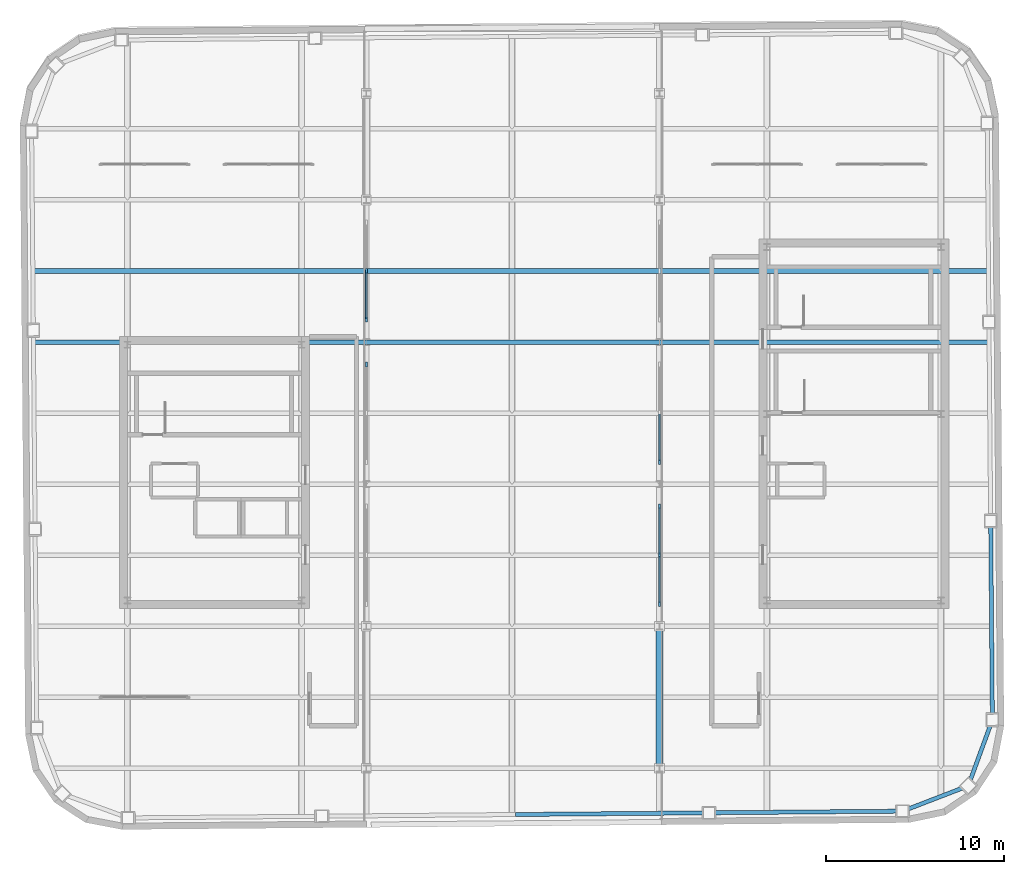
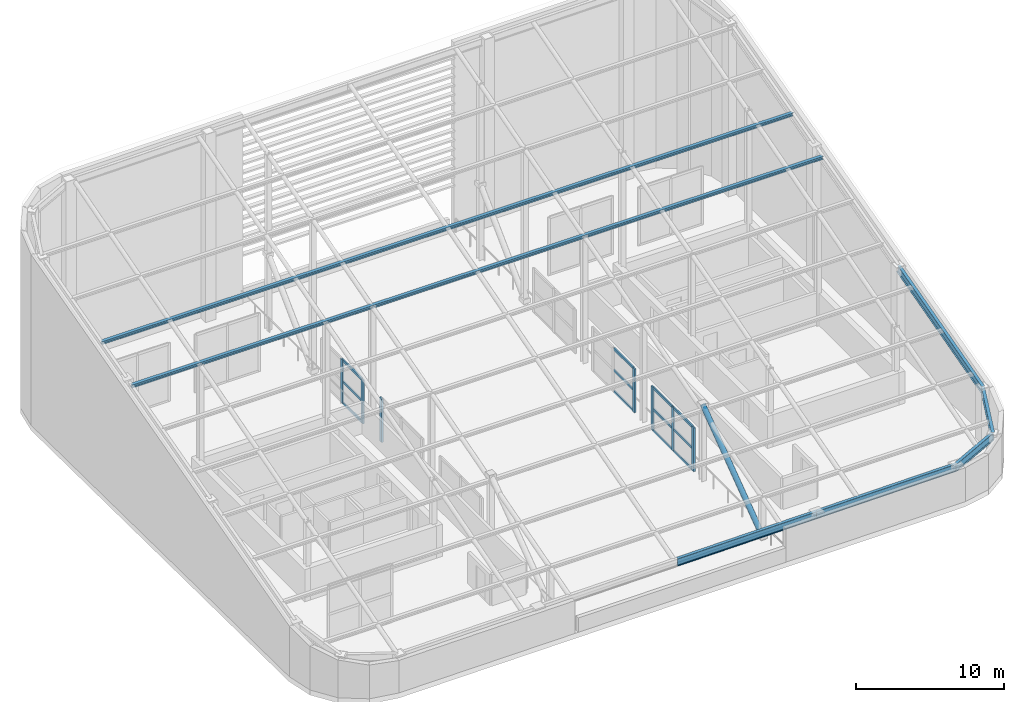
# One storey, part 9 of 17: 22 members, 5 beams, 4 elements without a shape of their own.
"""IFC4 building model written with IfcOpenShell, lengths in metres."""

from ifc_helpers import new_model, si_unit, direction, frame, origin, origin_2d, place, context, subcontext, project, spatial, rectangle, hollow_circle, i_section, extrude, material, material_profile, profile_set, type_object, element, aggregate, save


model = new_model("IFC4")

# Units and contexts
model_context = context("Model", 3, precision=1e-05, world=origin(), true_north=direction((0.0, 1.0)))
body_context = subcontext(model_context, "Body", "Model", "MODEL_VIEW")
ifc_project = project(units=[si_unit("LENGTHUNIT", "METRE"), si_unit("AREAUNIT", "SQUARE_METRE"), si_unit("VOLUMEUNIT", "CUBIC_METRE"), si_unit("PLANEANGLEUNIT", "RADIAN"), si_unit("MASSUNIT", "GRAM", prefix="KILO")], contexts=[model_context])

# Site, building, storey
site_placement = place(None, origin())
site = spatial("IfcSite", under=ifc_project, at=site_placement, CompositionType="ELEMENT")
building_placement = place(site_placement, origin())
building = spatial("IfcBuilding", under=site, at=building_placement, Name="Kolvaren Arena Tower", CompositionType="ELEMENT")
storey_placement = place(building_placement, frame((0.0, 0.0, 322.0)))
storey = spatial("IfcBuildingStorey", under=building, at=storey_placement, Name="Roof Crown", CompositionType="ELEMENT", Elevation=322.0)

# Curtain wall, member
ifc_material_1 = material(Name="Anodised aluminium unitised curtain wall", Category="aluminium")
curtain_wall_type = type_object("IfcCurtainWallType", Name="CW-SYS-04", PredefinedType="USERDEFINED", material=ifc_material_1)
curtain_wall_1_placement = place(storey_placement, origin())
curtain_wall_1 = element("IfcCurtainWall", 1, at=curtain_wall_1_placement, inside=storey, type_object=curtain_wall_type, Name="Wind-Portal Throat Acoustic Curtain Screen (Roof Crown)", ObjectType="ACOUSTIC LOUVRE SCREEN", PredefinedType="USERDEFINED")
ifc_material_2 = material(Name="Anodised aluminium 6063-T6", Category="aluminium")
ifc_material_profile_1 = material_profile(ifc_material_2, rectangle(XDim=0.1201171875, YDim=0.280029296875, at=origin_2d()), Name="ALU-120x280")
ifc_profile_set_1 = profile_set([ifc_material_profile_1], Name="Anodised aluminium 6063-T6")
member_type_1 = type_object("IfcMemberType", Name="CWM-PORT", PredefinedType="MULLION", material=ifc_profile_set_1)
member_1_placement = place(storey_placement, frame((28.0, 32.739990234375, 0.0), z_axis=(0.0, 0.0, 1.0), x_axis=(-1.0, 0.0, 0.0)))
member_1 = element("IfcMember", 2, at=member_1_placement, type_object=member_type_1, Name="CW4 mullion 3", PredefinedType="MULLION", context=body_context, shape_type="SweptSolid", body=[
    extrude(rectangle(XDim=0.1201171875, YDim=0.280029296875, at=origin_2d()), origin(), (0.0, 0.0, 1.0), 3.60009765625),
])
aggregate(curtain_wall_1, [member_1])

# Curtain wall, members
curtain_wall_2_placement = place(storey_placement, origin())
curtain_wall_2 = element("IfcCurtainWall", 3, at=curtain_wall_2_placement, inside=storey, type_object=curtain_wall_type, Name="Wind-Portal Throat Acoustic Curtain Screen (Roof Crown)", ObjectType="ACOUSTIC LOUVRE SCREEN", PredefinedType="USERDEFINED")
member_2_placement = place(storey_placement, frame((28.0, 35.260009765625, 0.0), z_axis=(0.0, 0.0, 1.0), x_axis=(-1.0, 0.0, 0.0)))
member_2 = element("IfcMember", 4, at=member_2_placement, type_object=member_type_1, Name="CW4 mullion 1", PredefinedType="MULLION", context=body_context, shape_type="SweptSolid", body=[
    extrude(rectangle(XDim=0.1201171875, YDim=0.280029296875, at=origin_2d()), origin(), (0.0, 0.0, 1.0), 3.60009765625),
])
member_3_placement = place(storey_placement, frame((28.0, 38.0, 0.0), z_axis=(0.0, 0.0, 1.0), x_axis=(-1.0, 0.0, 0.0)))
member_3 = element("IfcMember", 5, at=member_3_placement, type_object=member_type_1, Name="CW4 mullion 2", PredefinedType="MULLION", context=body_context, shape_type="SweptSolid", body=[
    extrude(rectangle(XDim=0.1201171875, YDim=0.280029296875, at=origin_2d()), origin(), (0.0, 0.0, 1.0), 3.60009765625),
])

curtain_wall_3_placement = place(storey_placement, origin())
curtain_wall_3 = element("IfcCurtainWall", 6, at=curtain_wall_3_placement, inside=storey, type_object=curtain_wall_type, Name="Wind-Portal Throat Acoustic Curtain Screen (Roof Crown)", ObjectType="ACOUSTIC LOUVRE SCREEN", PredefinedType="USERDEFINED")
member_4_placement = place(storey_placement, frame((44.5, 19.260009765625, 0.0), z_axis=(0.0, 0.0, 1.0), x_axis=(-1.0, 0.0, 0.0)))
member_4 = element("IfcMember", 7, at=member_4_placement, type_object=member_type_1, Name="CW4 mullion 1", PredefinedType="MULLION", context=body_context, shape_type="SweptSolid", body=[
    extrude(rectangle(XDim=0.1201171875, YDim=0.280029296875, at=origin_2d()), origin(), (0.0, 0.0, 1.0), 3.60009765625),
])
member_5_placement = place(storey_placement, frame((44.5, 22.0, 0.0), z_axis=(0.0, 0.0, 1.0), x_axis=(-1.0, 0.0, 0.0)))
member_5 = element("IfcMember", 8, at=member_5_placement, type_object=member_type_1, Name="CW4 mullion 2", PredefinedType="MULLION", context=body_context, shape_type="SweptSolid", body=[
    extrude(rectangle(XDim=0.1201171875, YDim=0.280029296875, at=origin_2d()), origin(), (0.0, 0.0, 1.0), 3.60009765625),
])
member_6_placement = place(storey_placement, frame((44.5, 24.739990234375, 0.0), z_axis=(0.0, 0.0, 1.0), x_axis=(-1.0, 0.0, 0.0)))
member_6 = element("IfcMember", 9, at=member_6_placement, type_object=member_type_1, Name="CW4 mullion 3", PredefinedType="MULLION", context=body_context, shape_type="SweptSolid", body=[
    extrude(rectangle(XDim=0.1201171875, YDim=0.280029296875, at=origin_2d()), origin(), (0.0, 0.0, 1.0), 3.60009765625),
])

# Curtain wall, member
curtain_wall_4_placement = place(storey_placement, origin())
curtain_wall_4 = element("IfcCurtainWall", 10, at=curtain_wall_4_placement, inside=storey, type_object=curtain_wall_type, Name="Wind-Portal Throat Acoustic Curtain Screen (Roof Crown)", ObjectType="ACOUSTIC LOUVRE SCREEN", PredefinedType="USERDEFINED")
member_7_placement = place(storey_placement, frame((44.5, 27.260009765625, 0.0), z_axis=(0.0, 0.0, 1.0), x_axis=(-1.0, 0.0, 0.0)))
member_7 = element("IfcMember", 11, at=member_7_placement, type_object=member_type_1, Name="CW4 mullion 1", PredefinedType="MULLION", context=body_context, shape_type="SweptSolid", body=[
    extrude(rectangle(XDim=0.1201171875, YDim=0.280029296875, at=origin_2d()), origin(), (0.0, 0.0, 1.0), 3.60009765625),
])

# Member
ifc_material_profile_2 = material_profile(ifc_material_2, rectangle(XDim=0.10009765625, YDim=0.199951171875, at=origin_2d()), Name="ALU-100x200")
ifc_profile_set_2 = profile_set([ifc_material_profile_2], Name="Anodised aluminium 6063-T6")
member_type_2 = type_object("IfcMemberType", Name="CWT-HVY", PredefinedType="USERDEFINED", material=ifc_profile_set_2)
member_8_placement = place(storey_placement, frame((28.0, 35.320068359375, 0.050048828125), z_axis=(0.0, 1.0, 0.0), x_axis=(-1.0, 0.0, 0.0)))
member_8 = element("IfcMember", 12, at=member_8_placement, type_object=member_type_2, Name="CW4 transom 1.1", ObjectType="TRANSOM", PredefinedType="USERDEFINED", context=body_context, shape_type="SweptSolid", body=[
    extrude(rectangle(XDim=0.10009765625, YDim=0.199951171875, at=origin_2d()), origin(), (0.0, 0.0, 1.0), 2.619873046875),
])

member_9_placement = place(storey_placement, frame((28.0, 35.320068359375, 1.800048828125), z_axis=(0.0, 1.0, 0.0), x_axis=(-1.0, 0.0, 0.0)))
member_9 = element("IfcMember", 13, at=member_9_placement, type_object=member_type_2, Name="CW4 transom 1.2", ObjectType="TRANSOM", PredefinedType="USERDEFINED", context=body_context, shape_type="SweptSolid", body=[
    extrude(rectangle(XDim=0.10009765625, YDim=0.199951171875, at=origin_2d()), origin(), (0.0, 0.0, 1.0), 2.619873046875),
])

member_10_placement = place(storey_placement, frame((28.0, 35.320068359375, 3.550048828125), z_axis=(0.0, 1.0, 0.0), x_axis=(-1.0, 0.0, 0.0)))
member_10 = element("IfcMember", 14, at=member_10_placement, type_object=member_type_2, Name="CW4 transom 1.3", ObjectType="TRANSOM", PredefinedType="USERDEFINED", context=body_context, shape_type="SweptSolid", body=[
    extrude(rectangle(XDim=0.10009765625, YDim=0.199951171875, at=origin_2d()), origin(), (0.0, 0.0, 1.0), 2.619873046875),
])

aggregate(curtain_wall_2, [member_2, member_3, member_8, member_9, member_10])

member_11_placement = place(storey_placement, frame((44.5, 19.320068359375, 0.050048828125), z_axis=(0.0, 1.0, 0.0), x_axis=(-1.0, 0.0, 0.0)))
member_11 = element("IfcMember", 15, at=member_11_placement, type_object=member_type_2, Name="CW4 transom 1.1", ObjectType="TRANSOM", PredefinedType="USERDEFINED", context=body_context, shape_type="SweptSolid", body=[
    extrude(rectangle(XDim=0.10009765625, YDim=0.199951171875, at=origin_2d()), origin(), (0.0, 0.0, 1.0), 2.619873046875),
])

member_12_placement = place(storey_placement, frame((44.5, 19.320068359375, 1.800048828125), z_axis=(0.0, 1.0, 0.0), x_axis=(-1.0, 0.0, 0.0)))
member_12 = element("IfcMember", 16, at=member_12_placement, type_object=member_type_2, Name="CW4 transom 1.2", ObjectType="TRANSOM", PredefinedType="USERDEFINED", context=body_context, shape_type="SweptSolid", body=[
    extrude(rectangle(XDim=0.10009765625, YDim=0.199951171875, at=origin_2d()), origin(), (0.0, 0.0, 1.0), 2.619873046875),
])

member_13_placement = place(storey_placement, frame((44.5, 19.320068359375, 3.550048828125), z_axis=(0.0, 1.0, 0.0), x_axis=(-1.0, 0.0, 0.0)))
member_13 = element("IfcMember", 17, at=member_13_placement, type_object=member_type_2, Name="CW4 transom 1.3", ObjectType="TRANSOM", PredefinedType="USERDEFINED", context=body_context, shape_type="SweptSolid", body=[
    extrude(rectangle(XDim=0.10009765625, YDim=0.199951171875, at=origin_2d()), origin(), (0.0, 0.0, 1.0), 2.619873046875),
])

member_14_placement = place(storey_placement, frame((44.5, 22.06005859375, 0.050048828125), z_axis=(0.0, 1.0, 0.0), x_axis=(-1.0, 0.0, 0.0)))
member_14 = element("IfcMember", 18, at=member_14_placement, type_object=member_type_2, Name="CW4 transom 2.1", ObjectType="TRANSOM", PredefinedType="USERDEFINED", context=body_context, shape_type="SweptSolid", body=[
    extrude(rectangle(XDim=0.10009765625, YDim=0.199951171875, at=origin_2d()), origin(), (0.0, 0.0, 1.0), 2.619873046875),
])

member_15_placement = place(storey_placement, frame((44.5, 22.06005859375, 1.800048828125), z_axis=(0.0, 1.0, 0.0), x_axis=(-1.0, 0.0, 0.0)))
member_15 = element("IfcMember", 19, at=member_15_placement, type_object=member_type_2, Name="CW4 transom 2.2", ObjectType="TRANSOM", PredefinedType="USERDEFINED", context=body_context, shape_type="SweptSolid", body=[
    extrude(rectangle(XDim=0.10009765625, YDim=0.199951171875, at=origin_2d()), origin(), (0.0, 0.0, 1.0), 2.619873046875),
])

member_16_placement = place(storey_placement, frame((44.5, 22.06005859375, 3.550048828125), z_axis=(0.0, 1.0, 0.0), x_axis=(-1.0, 0.0, 0.0)))
member_16 = element("IfcMember", 20, at=member_16_placement, type_object=member_type_2, Name="CW4 transom 2.3", ObjectType="TRANSOM", PredefinedType="USERDEFINED", context=body_context, shape_type="SweptSolid", body=[
    extrude(rectangle(XDim=0.10009765625, YDim=0.199951171875, at=origin_2d()), origin(), (0.0, 0.0, 1.0), 2.619873046875),
])

aggregate(curtain_wall_3, [member_4, member_5, member_6, member_11, member_12, member_13, member_14, member_15, member_16])

member_17_placement = place(storey_placement, frame((44.5, 27.320068359375, 0.050048828125), z_axis=(0.0, 1.0, 0.0), x_axis=(-1.0, 0.0, 0.0)))
member_17 = element("IfcMember", 21, at=member_17_placement, type_object=member_type_2, Name="CW4 transom 1.1", ObjectType="TRANSOM", PredefinedType="USERDEFINED", context=body_context, shape_type="SweptSolid", body=[
    extrude(rectangle(XDim=0.10009765625, YDim=0.199951171875, at=origin_2d()), origin(), (0.0, 0.0, 1.0), 2.619873046875),
])

member_18_placement = place(storey_placement, frame((44.5, 27.320068359375, 1.800048828125), z_axis=(0.0, 1.0, 0.0), x_axis=(-1.0, 0.0, 0.0)))
member_18 = element("IfcMember", 22, at=member_18_placement, type_object=member_type_2, Name="CW4 transom 1.2", ObjectType="TRANSOM", PredefinedType="USERDEFINED", context=body_context, shape_type="SweptSolid", body=[
    extrude(rectangle(XDim=0.10009765625, YDim=0.199951171875, at=origin_2d()), origin(), (0.0, 0.0, 1.0), 2.619873046875),
])

member_19_placement = place(storey_placement, frame((44.5, 27.320068359375, 3.550048828125), z_axis=(0.0, 1.0, 0.0), x_axis=(-1.0, 0.0, 0.0)))
member_19 = element("IfcMember", 23, at=member_19_placement, type_object=member_type_2, Name="CW4 transom 1.3", ObjectType="TRANSOM", PredefinedType="USERDEFINED", context=body_context, shape_type="SweptSolid", body=[
    extrude(rectangle(XDim=0.10009765625, YDim=0.199951171875, at=origin_2d()), origin(), (0.0, 0.0, 1.0), 2.619873046875),
])

aggregate(curtain_wall_4, [member_7, member_17, member_18, member_19])

# Beams
ifc_material_3 = material(Name="Steel CSA G40.21 350W", Category="steel")
ifc_material_profile_3 = material_profile(ifc_material_3, i_section(OverallWidth=0.22802734375, OverallDepth=0.615966796875, WebThickness=0.013916015625, FlangeThickness=0.02490234375, FilletRadius=0.014892578125, at=origin_2d()), Name="W610x174")
ifc_profile_set_3 = profile_set([ifc_material_profile_3], Name="Steel CSA G40.21 350W")
beam_type = type_object("IfcBeamType", Name="GIRD-T3", PredefinedType="BEAM", material=ifc_profile_set_3)
beam_1_placement = place(storey_placement, frame((36.39111328125, 7.40087890625, 2.53271484375), z_axis=(0.999958700637, 0.008735219918, 0.002508575977), x_axis=(-0.008735247404, 0.999961846999, 0.0)))
element("IfcBeam", 24, at=beam_1_placement, inside=storey, type_object=beam_type, Name="Sloped Crown Roof Perimeter Ring Beam 03", PredefinedType="BEAM", context=body_context, shape_type="SweptSolid", body=[
    extrude(i_section(OverallWidth=0.22802734375, OverallDepth=0.615966796875, WebThickness=0.013916015625, FlangeThickness=0.02490234375, FilletRadius=0.014892578125, at=origin_2d()), origin(), (0.0, 0.0, 1.0), 10.900146484375),
])
beam_2_placement = place(storey_placement, frame((47.290771484375, 7.49609375, 2.56005859375), z_axis=(0.999958894188, 0.008713018767, 0.002508632653), x_axis=(-0.008713046184, 0.999962040693, 0.0)))
element("IfcBeam", 25, at=beam_2_placement, inside=storey, type_object=beam_type, Name="Sloped Crown Roof Perimeter Ring Beam 04", PredefinedType="BEAM", context=body_context, shape_type="SweptSolid", body=[
    extrude(i_section(OverallWidth=0.22802734375, OverallDepth=0.615966796875, WebThickness=0.013916015625, FlangeThickness=0.02490234375, FilletRadius=0.014892578125, at=origin_2d()), origin(), (0.0, 0.0, 1.0), 10.89990234375),
])
beam_3_placement = place(storey_placement, frame((58.190185546875, 7.591064453125, 2.58740234375), z_axis=(0.928221326199, 0.357470348924, 0.103053962707), x_axis=(-0.359383792094, 0.933189846698, 0.0)))
element("IfcBeam", 26, at=beam_3_placement, inside=storey, type_object=beam_type, Name="Sloped Crown Roof Perimeter Ring Beam 05", PredefinedType="BEAM", context=body_context, shape_type="SweptSolid", body=[
    extrude(i_section(OverallWidth=0.22802734375, OverallDepth=0.615966796875, WebThickness=0.013916015625, FlangeThickness=0.02490234375, FilletRadius=0.014892578125, at=origin_2d()), origin(), (0.0, 0.0, 1.0), 3.982421875),
])
beam_4_placement = place(storey_placement, frame((61.88671875, 9.0146484375, 2.997802734375), z_axis=(0.331135692107, 0.906666896823, 0.26135089749), x_axis=(-0.939313819882, 0.343059102458, 0.0)))
element("IfcBeam", 27, at=beam_4_placement, inside=storey, type_object=beam_type, Name="Sloped Crown Roof Perimeter Ring Beam 06", PredefinedType="BEAM", context=body_context, shape_type="SweptSolid", body=[
    extrude(i_section(OverallWidth=0.22802734375, OverallDepth=0.615966796875, WebThickness=0.013916015625, FlangeThickness=0.02490234375, FilletRadius=0.014892578125, at=origin_2d()), origin(), (0.0, 0.0, 1.0), 4.103759765625),
])
beam_5_placement = place(storey_placement, frame((63.24560546875, 12.7353515625, 4.0703125), z_axis=(-0.008399066378, 0.960844815523, 0.276959737447), x_axis=(-0.999961796721, -0.008741001013, 0.0)))
element("IfcBeam", 28, at=beam_5_placement, inside=storey, type_object=beam_type, Name="Sloped Crown Roof Perimeter Ring Beam 07", PredefinedType="BEAM", context=body_context, shape_type="SweptSolid", body=[
    extrude(i_section(OverallWidth=0.22802734375, OverallDepth=0.615966796875, WebThickness=0.013916015625, FlangeThickness=0.02490234375, FilletRadius=0.014892578125, at=origin_2d()), origin(), (0.0, 0.0, 1.0), 11.656005859375),
])

# Members
ifc_material_profile_4 = material_profile(ifc_material_3, i_section(OverallWidth=0.25390625, OverallDepth=0.2529296875, WebThickness=0.008544921875, FlangeThickness=0.01416015625, FilletRadius=0.010009765625, at=origin_2d()), Name="W250x73")
ifc_profile_set_4 = profile_set([ifc_material_profile_4], Name="Steel CSA G40.21 350W")
member_type_3 = type_object("IfcMemberType", Name="PURLIN-CR1", PredefinedType="PURLIN", material=ifc_profile_set_4)
for number, where, z_axis, x_axis, name in (
    (29, (9.258056640625, 34.0, 10.374755859375), (1.0, 0.0, 0.0), (0.0, 1.0, 0.0), "Sloped Crown Roof Purlin 07"),
    (30, (9.22314453125, 38.0, 11.52783203125), (1.0, 0.0, 0.0), (0.0, 1.0, 0.0), "Sloped Crown Roof Purlin 08"),
):
    element("IfcMember", number, at=place(storey_placement, frame(where, z_axis=z_axis, x_axis=x_axis)), inside=storey, type_object=member_type_3, Name=name, PredefinedType="PURLIN", context=body_context, shape_type="SweptSolid", body=[
        extrude(i_section(OverallWidth=0.25390625, OverallDepth=0.2529296875, WebThickness=0.008544921875, FlangeThickness=0.01416015625, FilletRadius=0.010009765625, at=origin_2d()), origin(), (0.0, 0.0, 1.0), 53.802001953125),
    ])
ifc_material_4 = material(Name="Steel CSA G40.21 350WT", Category="steel")
ifc_material_profile_5 = material_profile(ifc_material_4, hollow_circle(Radius=0.202880859375, WallThickness=0.02001953125, at=origin_2d()), Name="CHS 406x20")
ifc_profile_set_5 = profile_set([ifc_material_profile_5], Name="Steel CSA G40.21 350WT")
member_type_4 = type_object("IfcMemberType", Name="WP-BRACE1", PredefinedType="BRACE", material=ifc_profile_set_5)
member_20_placement = place(storey_placement, frame((44.5, 10.0, 0.300048828125), z_axis=(0.0, 0.80480760162, 0.593535781883), x_axis=(-1.0, 0.0, 0.0)))
element("IfcMember", 31, at=member_20_placement, inside=storey, type_object=member_type_4, Name="Wind-Portal Throat Diagonal Brace (East 1)", PredefinedType="BRACE", context=body_context, shape_type="SweptSolid", body=[
    extrude(hollow_circle(Radius=0.202880859375, WallThickness=0.02001953125, at=origin_2d()), origin(), (0.0, 0.0, 1.0), 9.940185546875),
])

save(model, "model.ifc")
